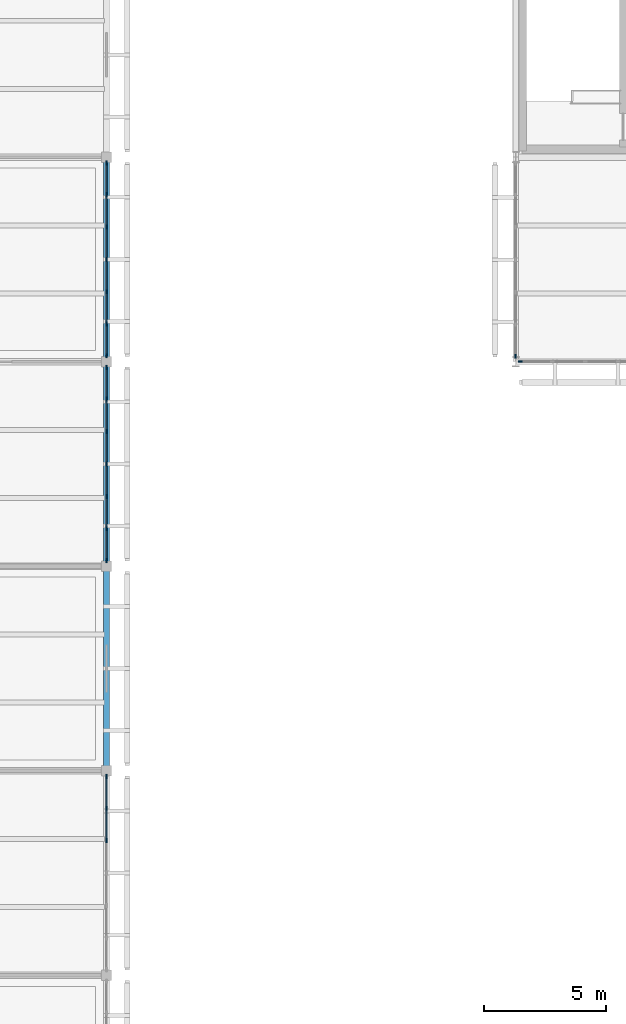
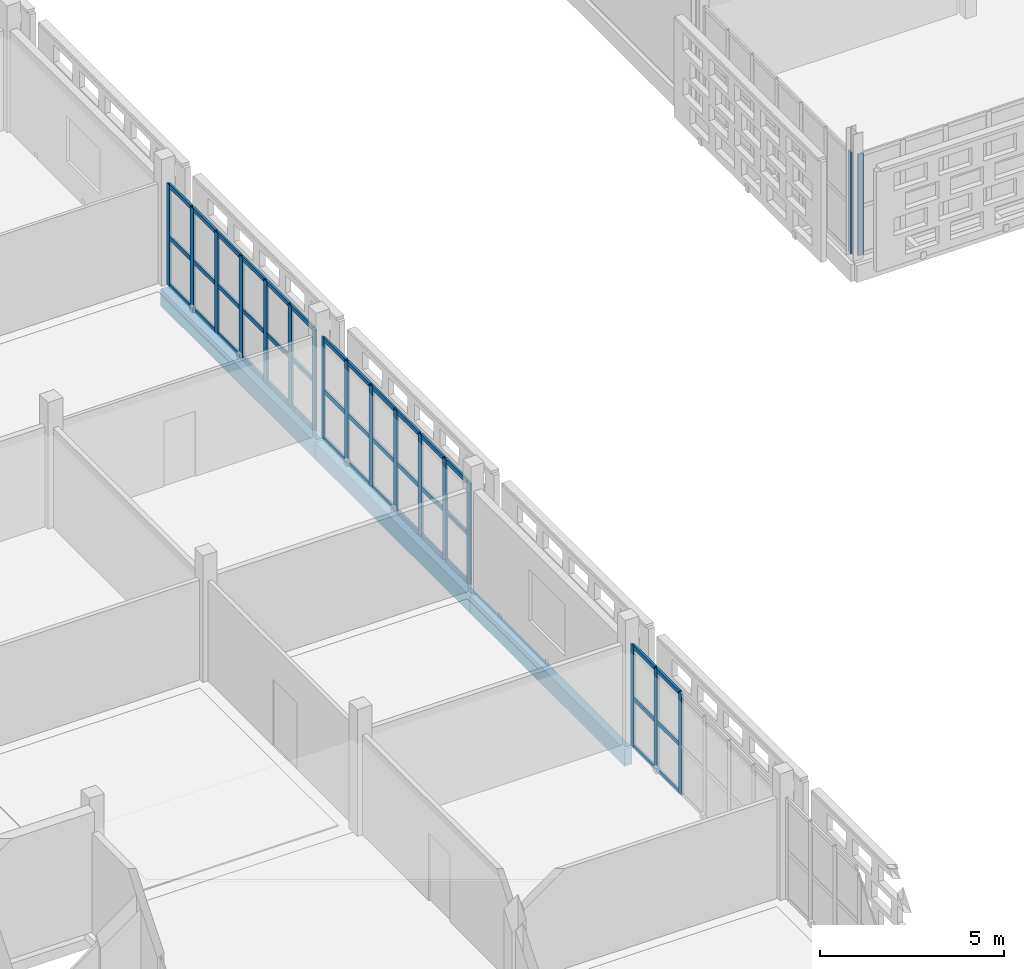
# One storey, part 42 of 140: 61 members, 3 beams, 5 elements without a shape of their own.
"""IFC4 building model written with IfcOpenShell, lengths in metres."""

from ifc_helpers import new_model, si_unit, direction, frame, origin, origin_2d, place, context, subcontext, project, spatial, rectangle, extrude, material, layer, layer_set, material_profile, profile_set, type_object, element, aggregate, save


model = new_model("IFC4")

# Units and contexts
model_context = context("Model", 3, precision=1e-05, world=origin(), true_north=direction((0.0, 1.0)))
body_context = subcontext(model_context, "Body", "Model", "MODEL_VIEW")
ifc_project = project(units=[si_unit("LENGTHUNIT", "METRE"), si_unit("AREAUNIT", "SQUARE_METRE"), si_unit("VOLUMEUNIT", "CUBIC_METRE"), si_unit("PLANEANGLEUNIT", "RADIAN"), si_unit("MASSUNIT", "GRAM", prefix="KILO")], contexts=[model_context])

# Site, building, storey
site_placement = place(None, origin())
site = spatial("IfcSite", under=ifc_project, at=site_placement, CompositionType="ELEMENT")
building_placement = place(site_placement, origin())
building = spatial("IfcBuilding", under=site, at=building_placement, Name="Varnapada Polytechnic", CompositionType="ELEMENT")
storey_placement = place(building_placement, frame((0.0, 0.0, 13.800048828125)))
storey = spatial("IfcBuildingStorey", under=building, at=storey_placement, Name="L03", CompositionType="ELEMENT", Elevation=13.800048828125)

# Curtain wall, member
ifc_material_1 = material(Name="Double low-E laminated glass", Category="glass")
ifc_layer_1 = layer(ifc_material_1, 0.159912109375)
ifc_layer_set_1 = layer_set([ifc_layer_1], Name="Double low-E laminated glass")
curtain_wall_type_1 = type_object("IfcCurtainWallType", Name="Curtain Wall CW-01", PredefinedType="NOTDEFINED", material=ifc_layer_set_1)
curtain_wall_1_placement = place(storey_placement, origin())
curtain_wall_1 = element("IfcCurtainWall", 1, at=curtain_wall_1_placement, inside=storey, type_object=curtain_wall_type_1, Name="L03 unitised curtain wall CW-01 (225)", PredefinedType="NOTDEFINED")
ifc_material_2 = material(Name="Anodised aluminium", Category="aluminium")
ifc_material_profile_1 = material_profile(ifc_material_2, rectangle(XDim=0.06005859375, YDim=0.159912109375, at=origin_2d()), Name="ALU M60x160")
ifc_profile_set_1 = profile_set([ifc_material_profile_1], Name="Anodised aluminium")
member_type_1 = type_object("IfcMemberType", Name="Mullion M-01", PredefinedType="MULLION", material=ifc_profile_set_1)
member_1_placement = place(storey_placement, frame((50.580078125, 84.0, 0.0), z_axis=(0.0, 0.0, 1.0), x_axis=(0.0, -1.0, 0.0)))
member_1 = element("IfcMember", 2, at=member_1_placement, type_object=member_type_1, Name="CW-01 mullion 7", PredefinedType="MULLION", context=body_context, shape_type="SweptSolid", body=[
    extrude(rectangle(XDim=0.06005859375, YDim=0.159912109375, at=origin_2d()), origin(), (0.0, 0.0, 1.0), 3.35986328125),
])
aggregate(curtain_wall_1, [member_1])

ifc_layer_2 = layer(ifc_material_1, 0.159912109375)
ifc_layer_set_2 = layer_set([ifc_layer_2], Name="Double low-E laminated glass")
curtain_wall_type_2 = type_object("IfcCurtainWallType", Name="Curtain Wall CW-02", PredefinedType="NOTDEFINED", material=ifc_layer_set_2)
curtain_wall_2_placement = place(storey_placement, origin())
curtain_wall_2 = element("IfcCurtainWall", 3, at=curtain_wall_2_placement, inside=storey, type_object=curtain_wall_type_2, Name="L03 unitised curtain wall CW-02 (226)", PredefinedType="NOTDEFINED")
member_2_placement = place(storey_placement, frame((50.39990234375, 84.22998046875, 0.0), z_axis=(0.0, 0.0, 1.0), x_axis=(-1.0, 0.0, 0.0)))
member_2 = element("IfcMember", 4, at=member_2_placement, type_object=member_type_1, Name="CW-02 mullion 1", PredefinedType="MULLION", context=body_context, shape_type="SweptSolid", body=[
    extrude(rectangle(XDim=0.06005859375, YDim=0.159912109375, at=origin_2d()), origin(), (0.0, 0.0, 1.0), 3.35986328125),
])
aggregate(curtain_wall_2, [member_2])

# Curtain wall, members
ifc_layer_3 = layer(ifc_material_1, 0.179931640625)
ifc_layer_set_3 = layer_set([ifc_layer_3], Name="Double low-E laminated glass")
curtain_wall_type_3 = type_object("IfcCurtainWallType", Name="Curtain Wall CW-03", PredefinedType="NOTDEFINED", material=ifc_layer_set_3)
curtain_wall_3_placement = place(storey_placement, origin())
curtain_wall_3 = element("IfcCurtainWall", 5, at=curtain_wall_3_placement, inside=storey, type_object=curtain_wall_type_3, Name="L03 unitised curtain wall CW-03 (218)", PredefinedType="NOTDEFINED")
ifc_material_profile_2 = material_profile(ifc_material_2, rectangle(XDim=0.06494140625, YDim=0.179931640625, at=origin_2d()), Name="ALU M65x180")
ifc_profile_set_2 = profile_set([ifc_material_profile_2], Name="Anodised aluminium")
member_type_2 = type_object("IfcMemberType", Name="Mullion M-02", PredefinedType="MULLION", material=ifc_profile_set_2)
member_3_placement = place(storey_placement, frame((33.60009765625, 66.95751953125, 0.0), z_axis=(0.0, 0.0, 1.0), x_axis=(1.0, 0.0, 0.0)))
member_3 = element("IfcMember", 6, at=member_3_placement, type_object=member_type_2, Name="CW-03 mullion 1", PredefinedType="MULLION", context=body_context, shape_type="SweptSolid", body=[
    extrude(rectangle(XDim=0.06494140625, YDim=0.179931640625, at=origin_2d()), origin(), (0.0, 0.0, 1.0), 3.35986328125),
])
member_4_placement = place(storey_placement, frame((33.60009765625, 65.659912109375, 0.0), z_axis=(0.0, 0.0, 1.0), x_axis=(1.0, 0.0, 0.0)))
member_4 = element("IfcMember", 7, at=member_4_placement, type_object=member_type_2, Name="CW-03 mullion 2", PredefinedType="MULLION", context=body_context, shape_type="SweptSolid", body=[
    extrude(rectangle(XDim=0.06494140625, YDim=0.179931640625, at=origin_2d()), origin(), (0.0, 0.0, 1.0), 3.35986328125),
])
member_5_placement = place(storey_placement, frame((33.60009765625, 64.330078125, 0.0), z_axis=(0.0, 0.0, 1.0), x_axis=(1.0, 0.0, 0.0)))
member_5 = element("IfcMember", 8, at=member_5_placement, type_object=member_type_2, Name="CW-03 mullion 3", PredefinedType="MULLION", context=body_context, shape_type="SweptSolid", body=[
    extrude(rectangle(XDim=0.06494140625, YDim=0.179931640625, at=origin_2d()), origin(), (0.0, 0.0, 1.0), 3.35986328125),
])

curtain_wall_4_placement = place(storey_placement, origin())
curtain_wall_4 = element("IfcCurtainWall", 9, at=curtain_wall_4_placement, inside=storey, type_object=curtain_wall_type_3, Name="L03 unitised curtain wall CW-03 (219)", PredefinedType="NOTDEFINED")
member_6_placement = place(storey_placement, frame((33.60009765625, 83.757568359375, 0.0), z_axis=(0.0, 0.0, 1.0), x_axis=(1.0, 0.0, 0.0)))
member_6 = element("IfcMember", 10, at=member_6_placement, type_object=member_type_2, Name="CW-03 mullion 1", PredefinedType="MULLION", context=body_context, shape_type="SweptSolid", body=[
    extrude(rectangle(XDim=0.06494140625, YDim=0.179931640625, at=origin_2d()), origin(), (0.0, 0.0, 1.0), 3.35986328125),
])
member_7_placement = place(storey_placement, frame((33.60009765625, 82.4599609375, 0.0), z_axis=(0.0, 0.0, 1.0), x_axis=(1.0, 0.0, 0.0)))
member_7 = element("IfcMember", 11, at=member_7_placement, type_object=member_type_2, Name="CW-03 mullion 2", PredefinedType="MULLION", context=body_context, shape_type="SweptSolid", body=[
    extrude(rectangle(XDim=0.06494140625, YDim=0.179931640625, at=origin_2d()), origin(), (0.0, 0.0, 1.0), 3.35986328125),
])
member_8_placement = place(storey_placement, frame((33.60009765625, 81.1298828125, 0.0), z_axis=(0.0, 0.0, 1.0), x_axis=(1.0, 0.0, 0.0)))
member_8 = element("IfcMember", 12, at=member_8_placement, type_object=member_type_2, Name="CW-03 mullion 3", PredefinedType="MULLION", context=body_context, shape_type="SweptSolid", body=[
    extrude(rectangle(XDim=0.06494140625, YDim=0.179931640625, at=origin_2d()), origin(), (0.0, 0.0, 1.0), 3.35986328125),
])
member_9_placement = place(storey_placement, frame((33.60009765625, 79.800048828125, 0.0), z_axis=(0.0, 0.0, 1.0), x_axis=(1.0, 0.0, 0.0)))
member_9 = element("IfcMember", 13, at=member_9_placement, type_object=member_type_2, Name="CW-03 mullion 4", PredefinedType="MULLION", context=body_context, shape_type="SweptSolid", body=[
    extrude(rectangle(XDim=0.06494140625, YDim=0.179931640625, at=origin_2d()), origin(), (0.0, 0.0, 1.0), 3.35986328125),
])
member_10_placement = place(storey_placement, frame((33.60009765625, 78.469970703125, 0.0), z_axis=(0.0, 0.0, 1.0), x_axis=(1.0, 0.0, 0.0)))
member_10 = element("IfcMember", 14, at=member_10_placement, type_object=member_type_2, Name="CW-03 mullion 5", PredefinedType="MULLION", context=body_context, shape_type="SweptSolid", body=[
    extrude(rectangle(XDim=0.06494140625, YDim=0.179931640625, at=origin_2d()), origin(), (0.0, 0.0, 1.0), 3.35986328125),
])
member_11_placement = place(storey_placement, frame((33.60009765625, 77.139892578125, 0.0), z_axis=(0.0, 0.0, 1.0), x_axis=(1.0, 0.0, 0.0)))
member_11 = element("IfcMember", 15, at=member_11_placement, type_object=member_type_2, Name="CW-03 mullion 6", PredefinedType="MULLION", context=body_context, shape_type="SweptSolid", body=[
    extrude(rectangle(XDim=0.06494140625, YDim=0.179931640625, at=origin_2d()), origin(), (0.0, 0.0, 1.0), 3.35986328125),
])
member_12_placement = place(storey_placement, frame((33.60009765625, 75.842529296875, 0.0), z_axis=(0.0, 0.0, 1.0), x_axis=(1.0, 0.0, 0.0)))
member_12 = element("IfcMember", 16, at=member_12_placement, type_object=member_type_2, Name="CW-03 mullion 7", PredefinedType="MULLION", context=body_context, shape_type="SweptSolid", body=[
    extrude(rectangle(XDim=0.06494140625, YDim=0.179931640625, at=origin_2d()), origin(), (0.0, 0.0, 1.0), 3.35986328125),
])

curtain_wall_5_placement = place(storey_placement, origin())
curtain_wall_5 = element("IfcCurtainWall", 17, at=curtain_wall_5_placement, inside=storey, type_object=curtain_wall_type_3, Name="L03 unitised curtain wall CW-03 (220)", PredefinedType="NOTDEFINED")
member_13_placement = place(storey_placement, frame((33.60009765625, 92.157470703125, 0.0), z_axis=(0.0, 0.0, 1.0), x_axis=(1.0, 0.0, 0.0)))
member_13 = element("IfcMember", 18, at=member_13_placement, type_object=member_type_2, Name="CW-03 mullion 1", PredefinedType="MULLION", context=body_context, shape_type="SweptSolid", body=[
    extrude(rectangle(XDim=0.06494140625, YDim=0.179931640625, at=origin_2d()), origin(), (0.0, 0.0, 1.0), 3.35986328125),
])
member_14_placement = place(storey_placement, frame((33.60009765625, 90.860107421875, 0.0), z_axis=(0.0, 0.0, 1.0), x_axis=(1.0, 0.0, 0.0)))
member_14 = element("IfcMember", 19, at=member_14_placement, type_object=member_type_2, Name="CW-03 mullion 2", PredefinedType="MULLION", context=body_context, shape_type="SweptSolid", body=[
    extrude(rectangle(XDim=0.06494140625, YDim=0.179931640625, at=origin_2d()), origin(), (0.0, 0.0, 1.0), 3.35986328125),
])
member_15_placement = place(storey_placement, frame((33.60009765625, 89.530029296875, 0.0), z_axis=(0.0, 0.0, 1.0), x_axis=(1.0, 0.0, 0.0)))
member_15 = element("IfcMember", 20, at=member_15_placement, type_object=member_type_2, Name="CW-03 mullion 3", PredefinedType="MULLION", context=body_context, shape_type="SweptSolid", body=[
    extrude(rectangle(XDim=0.06494140625, YDim=0.179931640625, at=origin_2d()), origin(), (0.0, 0.0, 1.0), 3.35986328125),
])
member_16_placement = place(storey_placement, frame((33.60009765625, 88.199951171875, 0.0), z_axis=(0.0, 0.0, 1.0), x_axis=(1.0, 0.0, 0.0)))
member_16 = element("IfcMember", 21, at=member_16_placement, type_object=member_type_2, Name="CW-03 mullion 4", PredefinedType="MULLION", context=body_context, shape_type="SweptSolid", body=[
    extrude(rectangle(XDim=0.06494140625, YDim=0.179931640625, at=origin_2d()), origin(), (0.0, 0.0, 1.0), 3.35986328125),
])
member_17_placement = place(storey_placement, frame((33.60009765625, 86.8701171875, 0.0), z_axis=(0.0, 0.0, 1.0), x_axis=(1.0, 0.0, 0.0)))
member_17 = element("IfcMember", 22, at=member_17_placement, type_object=member_type_2, Name="CW-03 mullion 5", PredefinedType="MULLION", context=body_context, shape_type="SweptSolid", body=[
    extrude(rectangle(XDim=0.06494140625, YDim=0.179931640625, at=origin_2d()), origin(), (0.0, 0.0, 1.0), 3.35986328125),
])
member_18_placement = place(storey_placement, frame((33.60009765625, 85.5400390625, 0.0), z_axis=(0.0, 0.0, 1.0), x_axis=(1.0, 0.0, 0.0)))
member_18 = element("IfcMember", 23, at=member_18_placement, type_object=member_type_2, Name="CW-03 mullion 6", PredefinedType="MULLION", context=body_context, shape_type="SweptSolid", body=[
    extrude(rectangle(XDim=0.06494140625, YDim=0.179931640625, at=origin_2d()), origin(), (0.0, 0.0, 1.0), 3.35986328125),
])
member_19_placement = place(storey_placement, frame((33.60009765625, 84.242431640625, 0.0), z_axis=(0.0, 0.0, 1.0), x_axis=(1.0, 0.0, 0.0)))
member_19 = element("IfcMember", 24, at=member_19_placement, type_object=member_type_2, Name="CW-03 mullion 7", PredefinedType="MULLION", context=body_context, shape_type="SweptSolid", body=[
    extrude(rectangle(XDim=0.06494140625, YDim=0.179931640625, at=origin_2d()), origin(), (0.0, 0.0, 1.0), 3.35986328125),
])

# Beams
ifc_material_3 = material(Name="Glulam GL32h", Category="wood")
ifc_material_profile_3 = material_profile(ifc_material_3, rectangle(XDim=0.239990234375, YDim=0.56005859375, at=origin_2d()), Name="GL 240x560")
ifc_profile_set_3 = profile_set([ifc_material_profile_3], Name="Glulam GL32h")
beam_type = type_object("IfcBeamType", Name="Perimeter glulam spandrel beam SP-02 (GL 240x560)", PredefinedType="SPANDREL", material=ifc_profile_set_3)
beam_placement = place(storey_placement, frame((33.60009765625, 67.199951171875, -0.52001953125), z_axis=(0.0, 1.0, 0.0), x_axis=(-1.0, 0.0, 0.0)))
element("IfcBeam", 25, at=beam_placement, inside=storey, type_object=beam_type, Name="L03 beam Y 9-10 at X5", PredefinedType="SPANDREL", context=body_context, shape_type="SweptSolid", body=[
    extrude(rectangle(XDim=0.239990234375, YDim=0.56005859375, at=origin_2d()), origin(), (0.0, 0.0, 1.0), 8.400146484375),
])
for number, where, z_axis, x_axis, name in (
    (26, (33.60009765625, 75.60009765625, -0.52001953125), (0.0, 1.0, 0.0), (-1.0, 0.0, 0.0), "L03 beam Y 10-11 at X5"),
    (27, (33.60009765625, 84.0, -0.52001953125), (0.0, 1.0, 0.0), (-1.0, 0.0, 0.0), "L03 beam Y 11-12 at X5"),
):
    element("IfcBeam", number, at=place(storey_placement, frame(where, z_axis=z_axis, x_axis=x_axis)), inside=storey, type_object=beam_type, Name=name, PredefinedType="SPANDREL", context=body_context, shape_type="SweptSolid", body=[
        extrude(rectangle(XDim=0.239990234375, YDim=0.56005859375, at=origin_2d()), origin(), (0.0, 0.0, 1.0), 8.39990234375),
    ])

# Member
ifc_material_profile_4 = material_profile(ifc_material_2, rectangle(XDim=0.06494140625, YDim=0.139892578125, at=origin_2d()), Name="ALU T65x140")
ifc_profile_set_4 = profile_set([ifc_material_profile_4], Name="Anodised aluminium")
member_type_3 = type_object("IfcMemberType", Name="Transom T-02", PredefinedType="USERDEFINED", material=ifc_profile_set_4)
member_20_placement = place(storey_placement, frame((33.60009765625, 66.925048828125, 0.032470703125), z_axis=(0.0, -1.0, 0.0), x_axis=(1.0, 0.0, 0.0)))
member_20 = element("IfcMember", 28, at=member_20_placement, type_object=member_type_3, Name="CW-03 transom 1.1", ObjectType="TRANSOM", PredefinedType="USERDEFINED", context=body_context, shape_type="SweptSolid", body=[
    extrude(rectangle(XDim=0.06494140625, YDim=0.139892578125, at=origin_2d()), origin(), (0.0, 0.0, 1.0), 1.232666015625),
])

member_21_placement = place(storey_placement, frame((33.60009765625, 66.925048828125, 1.61279296875), z_axis=(0.0, -1.0, 0.0), x_axis=(1.0, 0.0, 0.0)))
member_21 = element("IfcMember", 29, at=member_21_placement, type_object=member_type_3, Name="CW-03 transom 1.2", ObjectType="TRANSOM", PredefinedType="USERDEFINED", context=body_context, shape_type="SweptSolid", body=[
    extrude(rectangle(XDim=0.06494140625, YDim=0.139892578125, at=origin_2d()), origin(), (0.0, 0.0, 1.0), 1.232666015625),
])

member_22_placement = place(storey_placement, frame((33.60009765625, 66.925048828125, 3.327392578125), z_axis=(0.0, -1.0, 0.0), x_axis=(1.0, 0.0, 0.0)))
member_22 = element("IfcMember", 30, at=member_22_placement, type_object=member_type_3, Name="CW-03 transom 1.3", ObjectType="TRANSOM", PredefinedType="USERDEFINED", context=body_context, shape_type="SweptSolid", body=[
    extrude(rectangle(XDim=0.06494140625, YDim=0.139892578125, at=origin_2d()), origin(), (0.0, 0.0, 1.0), 1.232666015625),
])

member_23_placement = place(storey_placement, frame((33.60009765625, 65.62744140625, 0.032470703125), z_axis=(0.0, -1.0, 0.0), x_axis=(1.0, 0.0, 0.0)))
member_23 = element("IfcMember", 31, at=member_23_placement, type_object=member_type_3, Name="CW-03 transom 2.1", ObjectType="TRANSOM", PredefinedType="USERDEFINED", context=body_context, shape_type="SweptSolid", body=[
    extrude(rectangle(XDim=0.06494140625, YDim=0.139892578125, at=origin_2d()), origin(), (0.0, 0.0, 1.0), 1.264892578125),
])

member_24_placement = place(storey_placement, frame((33.60009765625, 65.62744140625, 1.61279296875), z_axis=(0.0, -1.0, 0.0), x_axis=(1.0, 0.0, 0.0)))
member_24 = element("IfcMember", 32, at=member_24_placement, type_object=member_type_3, Name="CW-03 transom 2.2", ObjectType="TRANSOM", PredefinedType="USERDEFINED", context=body_context, shape_type="SweptSolid", body=[
    extrude(rectangle(XDim=0.06494140625, YDim=0.139892578125, at=origin_2d()), origin(), (0.0, 0.0, 1.0), 1.264892578125),
])

member_25_placement = place(storey_placement, frame((33.60009765625, 65.62744140625, 3.327392578125), z_axis=(0.0, -1.0, 0.0), x_axis=(1.0, 0.0, 0.0)))
member_25 = element("IfcMember", 33, at=member_25_placement, type_object=member_type_3, Name="CW-03 transom 2.3", ObjectType="TRANSOM", PredefinedType="USERDEFINED", context=body_context, shape_type="SweptSolid", body=[
    extrude(rectangle(XDim=0.06494140625, YDim=0.139892578125, at=origin_2d()), origin(), (0.0, 0.0, 1.0), 1.264892578125),
])

aggregate(curtain_wall_3, [member_3, member_4, member_5, member_20, member_21, member_22, member_23, member_24, member_25])

member_26_placement = place(storey_placement, frame((33.60009765625, 83.72509765625, 0.032470703125), z_axis=(0.0, -1.0, 0.0), x_axis=(1.0, 0.0, 0.0)))
member_26 = element("IfcMember", 34, at=member_26_placement, type_object=member_type_3, Name="CW-03 transom 1.1", ObjectType="TRANSOM", PredefinedType="USERDEFINED", context=body_context, shape_type="SweptSolid", body=[
    extrude(rectangle(XDim=0.06494140625, YDim=0.139892578125, at=origin_2d()), origin(), (0.0, 0.0, 1.0), 1.232666015625),
])

member_27_placement = place(storey_placement, frame((33.60009765625, 83.72509765625, 1.61279296875), z_axis=(0.0, -1.0, 0.0), x_axis=(1.0, 0.0, 0.0)))
member_27 = element("IfcMember", 35, at=member_27_placement, type_object=member_type_3, Name="CW-03 transom 1.2", ObjectType="TRANSOM", PredefinedType="USERDEFINED", context=body_context, shape_type="SweptSolid", body=[
    extrude(rectangle(XDim=0.06494140625, YDim=0.139892578125, at=origin_2d()), origin(), (0.0, 0.0, 1.0), 1.232666015625),
])

member_28_placement = place(storey_placement, frame((33.60009765625, 83.72509765625, 3.327392578125), z_axis=(0.0, -1.0, 0.0), x_axis=(1.0, 0.0, 0.0)))
member_28 = element("IfcMember", 36, at=member_28_placement, type_object=member_type_3, Name="CW-03 transom 1.3", ObjectType="TRANSOM", PredefinedType="USERDEFINED", context=body_context, shape_type="SweptSolid", body=[
    extrude(rectangle(XDim=0.06494140625, YDim=0.139892578125, at=origin_2d()), origin(), (0.0, 0.0, 1.0), 1.232666015625),
])

member_29_placement = place(storey_placement, frame((33.60009765625, 82.427490234375, 0.032470703125), z_axis=(0.0, -1.0, 0.0), x_axis=(1.0, 0.0, 0.0)))
member_29 = element("IfcMember", 37, at=member_29_placement, type_object=member_type_3, Name="CW-03 transom 2.1", ObjectType="TRANSOM", PredefinedType="USERDEFINED", context=body_context, shape_type="SweptSolid", body=[
    extrude(rectangle(XDim=0.06494140625, YDim=0.139892578125, at=origin_2d()), origin(), (0.0, 0.0, 1.0), 1.264892578125),
])

member_30_placement = place(storey_placement, frame((33.60009765625, 82.427490234375, 1.61279296875), z_axis=(0.0, -1.0, 0.0), x_axis=(1.0, 0.0, 0.0)))
member_30 = element("IfcMember", 38, at=member_30_placement, type_object=member_type_3, Name="CW-03 transom 2.2", ObjectType="TRANSOM", PredefinedType="USERDEFINED", context=body_context, shape_type="SweptSolid", body=[
    extrude(rectangle(XDim=0.06494140625, YDim=0.139892578125, at=origin_2d()), origin(), (0.0, 0.0, 1.0), 1.264892578125),
])

member_31_placement = place(storey_placement, frame((33.60009765625, 82.427490234375, 3.327392578125), z_axis=(0.0, -1.0, 0.0), x_axis=(1.0, 0.0, 0.0)))
member_31 = element("IfcMember", 39, at=member_31_placement, type_object=member_type_3, Name="CW-03 transom 2.3", ObjectType="TRANSOM", PredefinedType="USERDEFINED", context=body_context, shape_type="SweptSolid", body=[
    extrude(rectangle(XDim=0.06494140625, YDim=0.139892578125, at=origin_2d()), origin(), (0.0, 0.0, 1.0), 1.264892578125),
])

member_32_placement = place(storey_placement, frame((33.60009765625, 81.097412109375, 0.032470703125), z_axis=(0.0, -1.0, 0.0), x_axis=(1.0, 0.0, 0.0)))
member_32 = element("IfcMember", 40, at=member_32_placement, type_object=member_type_3, Name="CW-03 transom 3.1", ObjectType="TRANSOM", PredefinedType="USERDEFINED", context=body_context, shape_type="SweptSolid", body=[
    extrude(rectangle(XDim=0.06494140625, YDim=0.139892578125, at=origin_2d()), origin(), (0.0, 0.0, 1.0), 1.264892578125),
])

member_33_placement = place(storey_placement, frame((33.60009765625, 81.097412109375, 1.61279296875), z_axis=(0.0, -1.0, 0.0), x_axis=(1.0, 0.0, 0.0)))
member_33 = element("IfcMember", 41, at=member_33_placement, type_object=member_type_3, Name="CW-03 transom 3.2", ObjectType="TRANSOM", PredefinedType="USERDEFINED", context=body_context, shape_type="SweptSolid", body=[
    extrude(rectangle(XDim=0.06494140625, YDim=0.139892578125, at=origin_2d()), origin(), (0.0, 0.0, 1.0), 1.264892578125),
])

member_34_placement = place(storey_placement, frame((33.60009765625, 81.097412109375, 3.327392578125), z_axis=(0.0, -1.0, 0.0), x_axis=(1.0, 0.0, 0.0)))
member_34 = element("IfcMember", 42, at=member_34_placement, type_object=member_type_3, Name="CW-03 transom 3.3", ObjectType="TRANSOM", PredefinedType="USERDEFINED", context=body_context, shape_type="SweptSolid", body=[
    extrude(rectangle(XDim=0.06494140625, YDim=0.139892578125, at=origin_2d()), origin(), (0.0, 0.0, 1.0), 1.264892578125),
])

member_35_placement = place(storey_placement, frame((33.60009765625, 79.767578125, 0.032470703125), z_axis=(0.0, -1.0, 0.0), x_axis=(1.0, 0.0, 0.0)))
member_35 = element("IfcMember", 43, at=member_35_placement, type_object=member_type_3, Name="CW-03 transom 4.1", ObjectType="TRANSOM", PredefinedType="USERDEFINED", context=body_context, shape_type="SweptSolid", body=[
    extrude(rectangle(XDim=0.06494140625, YDim=0.139892578125, at=origin_2d()), origin(), (0.0, 0.0, 1.0), 1.26513671875),
])

member_36_placement = place(storey_placement, frame((33.60009765625, 79.767578125, 1.61279296875), z_axis=(0.0, -1.0, 0.0), x_axis=(1.0, 0.0, 0.0)))
member_36 = element("IfcMember", 44, at=member_36_placement, type_object=member_type_3, Name="CW-03 transom 4.2", ObjectType="TRANSOM", PredefinedType="USERDEFINED", context=body_context, shape_type="SweptSolid", body=[
    extrude(rectangle(XDim=0.06494140625, YDim=0.139892578125, at=origin_2d()), origin(), (0.0, 0.0, 1.0), 1.26513671875),
])

member_37_placement = place(storey_placement, frame((33.60009765625, 79.767578125, 3.327392578125), z_axis=(0.0, -1.0, 0.0), x_axis=(1.0, 0.0, 0.0)))
member_37 = element("IfcMember", 45, at=member_37_placement, type_object=member_type_3, Name="CW-03 transom 4.3", ObjectType="TRANSOM", PredefinedType="USERDEFINED", context=body_context, shape_type="SweptSolid", body=[
    extrude(rectangle(XDim=0.06494140625, YDim=0.139892578125, at=origin_2d()), origin(), (0.0, 0.0, 1.0), 1.26513671875),
])

member_38_placement = place(storey_placement, frame((33.60009765625, 78.4375, 0.032470703125), z_axis=(0.0, -1.0, 0.0), x_axis=(1.0, 0.0, 0.0)))
member_38 = element("IfcMember", 46, at=member_38_placement, type_object=member_type_3, Name="CW-03 transom 5.1", ObjectType="TRANSOM", PredefinedType="USERDEFINED", context=body_context, shape_type="SweptSolid", body=[
    extrude(rectangle(XDim=0.06494140625, YDim=0.139892578125, at=origin_2d()), origin(), (0.0, 0.0, 1.0), 1.264892578125),
])

member_39_placement = place(storey_placement, frame((33.60009765625, 78.4375, 1.61279296875), z_axis=(0.0, -1.0, 0.0), x_axis=(1.0, 0.0, 0.0)))
member_39 = element("IfcMember", 47, at=member_39_placement, type_object=member_type_3, Name="CW-03 transom 5.2", ObjectType="TRANSOM", PredefinedType="USERDEFINED", context=body_context, shape_type="SweptSolid", body=[
    extrude(rectangle(XDim=0.06494140625, YDim=0.139892578125, at=origin_2d()), origin(), (0.0, 0.0, 1.0), 1.264892578125),
])

member_40_placement = place(storey_placement, frame((33.60009765625, 78.4375, 3.327392578125), z_axis=(0.0, -1.0, 0.0), x_axis=(1.0, 0.0, 0.0)))
member_40 = element("IfcMember", 48, at=member_40_placement, type_object=member_type_3, Name="CW-03 transom 5.3", ObjectType="TRANSOM", PredefinedType="USERDEFINED", context=body_context, shape_type="SweptSolid", body=[
    extrude(rectangle(XDim=0.06494140625, YDim=0.139892578125, at=origin_2d()), origin(), (0.0, 0.0, 1.0), 1.264892578125),
])

member_41_placement = place(storey_placement, frame((33.60009765625, 77.107421875, 0.032470703125), z_axis=(0.0, -1.0, 0.0), x_axis=(1.0, 0.0, 0.0)))
member_41 = element("IfcMember", 49, at=member_41_placement, type_object=member_type_3, Name="CW-03 transom 6.1", ObjectType="TRANSOM", PredefinedType="USERDEFINED", context=body_context, shape_type="SweptSolid", body=[
    extrude(rectangle(XDim=0.06494140625, YDim=0.139892578125, at=origin_2d()), origin(), (0.0, 0.0, 1.0), 1.232421875),
])

member_42_placement = place(storey_placement, frame((33.60009765625, 77.107421875, 1.61279296875), z_axis=(0.0, -1.0, 0.0), x_axis=(1.0, 0.0, 0.0)))
member_42 = element("IfcMember", 50, at=member_42_placement, type_object=member_type_3, Name="CW-03 transom 6.2", ObjectType="TRANSOM", PredefinedType="USERDEFINED", context=body_context, shape_type="SweptSolid", body=[
    extrude(rectangle(XDim=0.06494140625, YDim=0.139892578125, at=origin_2d()), origin(), (0.0, 0.0, 1.0), 1.232421875),
])

member_43_placement = place(storey_placement, frame((33.60009765625, 77.107421875, 3.327392578125), z_axis=(0.0, -1.0, 0.0), x_axis=(1.0, 0.0, 0.0)))
member_43 = element("IfcMember", 51, at=member_43_placement, type_object=member_type_3, Name="CW-03 transom 6.3", ObjectType="TRANSOM", PredefinedType="USERDEFINED", context=body_context, shape_type="SweptSolid", body=[
    extrude(rectangle(XDim=0.06494140625, YDim=0.139892578125, at=origin_2d()), origin(), (0.0, 0.0, 1.0), 1.232421875),
])

aggregate(curtain_wall_4, [member_6, member_7, member_8, member_9, member_10, member_11, member_12, member_26, member_27, member_28, member_29, member_30, member_31, member_32, member_33, member_34, member_35, member_36, member_37, member_38, member_39, member_40, member_41, member_42, member_43])

member_44_placement = place(storey_placement, frame((33.60009765625, 92.125, 0.032470703125), z_axis=(0.0, -1.0, 0.0), x_axis=(1.0, 0.0, 0.0)))
member_44 = element("IfcMember", 52, at=member_44_placement, type_object=member_type_3, Name="CW-03 transom 1.1", ObjectType="TRANSOM", PredefinedType="USERDEFINED", context=body_context, shape_type="SweptSolid", body=[
    extrude(rectangle(XDim=0.06494140625, YDim=0.139892578125, at=origin_2d()), origin(), (0.0, 0.0, 1.0), 1.232421875),
])

member_45_placement = place(storey_placement, frame((33.60009765625, 92.125, 1.61279296875), z_axis=(0.0, -1.0, 0.0), x_axis=(1.0, 0.0, 0.0)))
member_45 = element("IfcMember", 53, at=member_45_placement, type_object=member_type_3, Name="CW-03 transom 1.2", ObjectType="TRANSOM", PredefinedType="USERDEFINED", context=body_context, shape_type="SweptSolid", body=[
    extrude(rectangle(XDim=0.06494140625, YDim=0.139892578125, at=origin_2d()), origin(), (0.0, 0.0, 1.0), 1.232421875),
])

member_46_placement = place(storey_placement, frame((33.60009765625, 92.125, 3.327392578125), z_axis=(0.0, -1.0, 0.0), x_axis=(1.0, 0.0, 0.0)))
member_46 = element("IfcMember", 54, at=member_46_placement, type_object=member_type_3, Name="CW-03 transom 1.3", ObjectType="TRANSOM", PredefinedType="USERDEFINED", context=body_context, shape_type="SweptSolid", body=[
    extrude(rectangle(XDim=0.06494140625, YDim=0.139892578125, at=origin_2d()), origin(), (0.0, 0.0, 1.0), 1.232421875),
])

member_47_placement = place(storey_placement, frame((33.60009765625, 90.827392578125, 0.032470703125), z_axis=(0.0, -1.0, 0.0), x_axis=(1.0, 0.0, 0.0)))
member_47 = element("IfcMember", 55, at=member_47_placement, type_object=member_type_3, Name="CW-03 transom 2.1", ObjectType="TRANSOM", PredefinedType="USERDEFINED", context=body_context, shape_type="SweptSolid", body=[
    extrude(rectangle(XDim=0.06494140625, YDim=0.139892578125, at=origin_2d()), origin(), (0.0, 0.0, 1.0), 1.264892578125),
])

member_48_placement = place(storey_placement, frame((33.60009765625, 90.827392578125, 1.61279296875), z_axis=(0.0, -1.0, 0.0), x_axis=(1.0, 0.0, 0.0)))
member_48 = element("IfcMember", 56, at=member_48_placement, type_object=member_type_3, Name="CW-03 transom 2.2", ObjectType="TRANSOM", PredefinedType="USERDEFINED", context=body_context, shape_type="SweptSolid", body=[
    extrude(rectangle(XDim=0.06494140625, YDim=0.139892578125, at=origin_2d()), origin(), (0.0, 0.0, 1.0), 1.264892578125),
])

member_49_placement = place(storey_placement, frame((33.60009765625, 90.827392578125, 3.327392578125), z_axis=(0.0, -1.0, 0.0), x_axis=(1.0, 0.0, 0.0)))
member_49 = element("IfcMember", 57, at=member_49_placement, type_object=member_type_3, Name="CW-03 transom 2.3", ObjectType="TRANSOM", PredefinedType="USERDEFINED", context=body_context, shape_type="SweptSolid", body=[
    extrude(rectangle(XDim=0.06494140625, YDim=0.139892578125, at=origin_2d()), origin(), (0.0, 0.0, 1.0), 1.264892578125),
])

member_50_placement = place(storey_placement, frame((33.60009765625, 89.49755859375, 0.032470703125), z_axis=(0.0, -1.0, 0.0), x_axis=(1.0, 0.0, 0.0)))
member_50 = element("IfcMember", 58, at=member_50_placement, type_object=member_type_3, Name="CW-03 transom 3.1", ObjectType="TRANSOM", PredefinedType="USERDEFINED", context=body_context, shape_type="SweptSolid", body=[
    extrude(rectangle(XDim=0.06494140625, YDim=0.139892578125, at=origin_2d()), origin(), (0.0, 0.0, 1.0), 1.26513671875),
])

member_51_placement = place(storey_placement, frame((33.60009765625, 89.49755859375, 1.61279296875), z_axis=(0.0, -1.0, 0.0), x_axis=(1.0, 0.0, 0.0)))
member_51 = element("IfcMember", 59, at=member_51_placement, type_object=member_type_3, Name="CW-03 transom 3.2", ObjectType="TRANSOM", PredefinedType="USERDEFINED", context=body_context, shape_type="SweptSolid", body=[
    extrude(rectangle(XDim=0.06494140625, YDim=0.139892578125, at=origin_2d()), origin(), (0.0, 0.0, 1.0), 1.26513671875),
])

member_52_placement = place(storey_placement, frame((33.60009765625, 89.49755859375, 3.327392578125), z_axis=(0.0, -1.0, 0.0), x_axis=(1.0, 0.0, 0.0)))
member_52 = element("IfcMember", 60, at=member_52_placement, type_object=member_type_3, Name="CW-03 transom 3.3", ObjectType="TRANSOM", PredefinedType="USERDEFINED", context=body_context, shape_type="SweptSolid", body=[
    extrude(rectangle(XDim=0.06494140625, YDim=0.139892578125, at=origin_2d()), origin(), (0.0, 0.0, 1.0), 1.26513671875),
])

member_53_placement = place(storey_placement, frame((33.60009765625, 88.16748046875, 0.032470703125), z_axis=(0.0, -1.0, 0.0), x_axis=(1.0, 0.0, 0.0)))
member_53 = element("IfcMember", 61, at=member_53_placement, type_object=member_type_3, Name="CW-03 transom 4.1", ObjectType="TRANSOM", PredefinedType="USERDEFINED", context=body_context, shape_type="SweptSolid", body=[
    extrude(rectangle(XDim=0.06494140625, YDim=0.139892578125, at=origin_2d()), origin(), (0.0, 0.0, 1.0), 1.264892578125),
])

member_54_placement = place(storey_placement, frame((33.60009765625, 88.16748046875, 1.61279296875), z_axis=(0.0, -1.0, 0.0), x_axis=(1.0, 0.0, 0.0)))
member_54 = element("IfcMember", 62, at=member_54_placement, type_object=member_type_3, Name="CW-03 transom 4.2", ObjectType="TRANSOM", PredefinedType="USERDEFINED", context=body_context, shape_type="SweptSolid", body=[
    extrude(rectangle(XDim=0.06494140625, YDim=0.139892578125, at=origin_2d()), origin(), (0.0, 0.0, 1.0), 1.264892578125),
])

member_55_placement = place(storey_placement, frame((33.60009765625, 88.16748046875, 3.327392578125), z_axis=(0.0, -1.0, 0.0), x_axis=(1.0, 0.0, 0.0)))
member_55 = element("IfcMember", 63, at=member_55_placement, type_object=member_type_3, Name="CW-03 transom 4.3", ObjectType="TRANSOM", PredefinedType="USERDEFINED", context=body_context, shape_type="SweptSolid", body=[
    extrude(rectangle(XDim=0.06494140625, YDim=0.139892578125, at=origin_2d()), origin(), (0.0, 0.0, 1.0), 1.264892578125),
])

member_56_placement = place(storey_placement, frame((33.60009765625, 86.83740234375, 0.032470703125), z_axis=(0.0, -1.0, 0.0), x_axis=(1.0, 0.0, 0.0)))
member_56 = element("IfcMember", 64, at=member_56_placement, type_object=member_type_3, Name="CW-03 transom 5.1", ObjectType="TRANSOM", PredefinedType="USERDEFINED", context=body_context, shape_type="SweptSolid", body=[
    extrude(rectangle(XDim=0.06494140625, YDim=0.139892578125, at=origin_2d()), origin(), (0.0, 0.0, 1.0), 1.264892578125),
])

member_57_placement = place(storey_placement, frame((33.60009765625, 86.83740234375, 1.61279296875), z_axis=(0.0, -1.0, 0.0), x_axis=(1.0, 0.0, 0.0)))
member_57 = element("IfcMember", 65, at=member_57_placement, type_object=member_type_3, Name="CW-03 transom 5.2", ObjectType="TRANSOM", PredefinedType="USERDEFINED", context=body_context, shape_type="SweptSolid", body=[
    extrude(rectangle(XDim=0.06494140625, YDim=0.139892578125, at=origin_2d()), origin(), (0.0, 0.0, 1.0), 1.264892578125),
])

member_58_placement = place(storey_placement, frame((33.60009765625, 86.83740234375, 3.327392578125), z_axis=(0.0, -1.0, 0.0), x_axis=(1.0, 0.0, 0.0)))
member_58 = element("IfcMember", 66, at=member_58_placement, type_object=member_type_3, Name="CW-03 transom 5.3", ObjectType="TRANSOM", PredefinedType="USERDEFINED", context=body_context, shape_type="SweptSolid", body=[
    extrude(rectangle(XDim=0.06494140625, YDim=0.139892578125, at=origin_2d()), origin(), (0.0, 0.0, 1.0), 1.264892578125),
])

member_59_placement = place(storey_placement, frame((33.60009765625, 85.507568359375, 0.032470703125), z_axis=(0.0, -1.0, 0.0), x_axis=(1.0, 0.0, 0.0)))
member_59 = element("IfcMember", 67, at=member_59_placement, type_object=member_type_3, Name="CW-03 transom 6.1", ObjectType="TRANSOM", PredefinedType="USERDEFINED", context=body_context, shape_type="SweptSolid", body=[
    extrude(rectangle(XDim=0.06494140625, YDim=0.139892578125, at=origin_2d()), origin(), (0.0, 0.0, 1.0), 1.232666015625),
])

member_60_placement = place(storey_placement, frame((33.60009765625, 85.507568359375, 1.61279296875), z_axis=(0.0, -1.0, 0.0), x_axis=(1.0, 0.0, 0.0)))
member_60 = element("IfcMember", 68, at=member_60_placement, type_object=member_type_3, Name="CW-03 transom 6.2", ObjectType="TRANSOM", PredefinedType="USERDEFINED", context=body_context, shape_type="SweptSolid", body=[
    extrude(rectangle(XDim=0.06494140625, YDim=0.139892578125, at=origin_2d()), origin(), (0.0, 0.0, 1.0), 1.232666015625),
])

member_61_placement = place(storey_placement, frame((33.60009765625, 85.507568359375, 3.327392578125), z_axis=(0.0, -1.0, 0.0), x_axis=(1.0, 0.0, 0.0)))
member_61 = element("IfcMember", 69, at=member_61_placement, type_object=member_type_3, Name="CW-03 transom 6.3", ObjectType="TRANSOM", PredefinedType="USERDEFINED", context=body_context, shape_type="SweptSolid", body=[
    extrude(rectangle(XDim=0.06494140625, YDim=0.139892578125, at=origin_2d()), origin(), (0.0, 0.0, 1.0), 1.232666015625),
])

aggregate(curtain_wall_5, [member_13, member_14, member_15, member_16, member_17, member_18, member_19, member_44, member_45, member_46, member_47, member_48, member_49, member_50, member_51, member_52, member_53, member_54, member_55, member_56, member_57, member_58, member_59, member_60, member_61])

save(model, "model.ifc")
